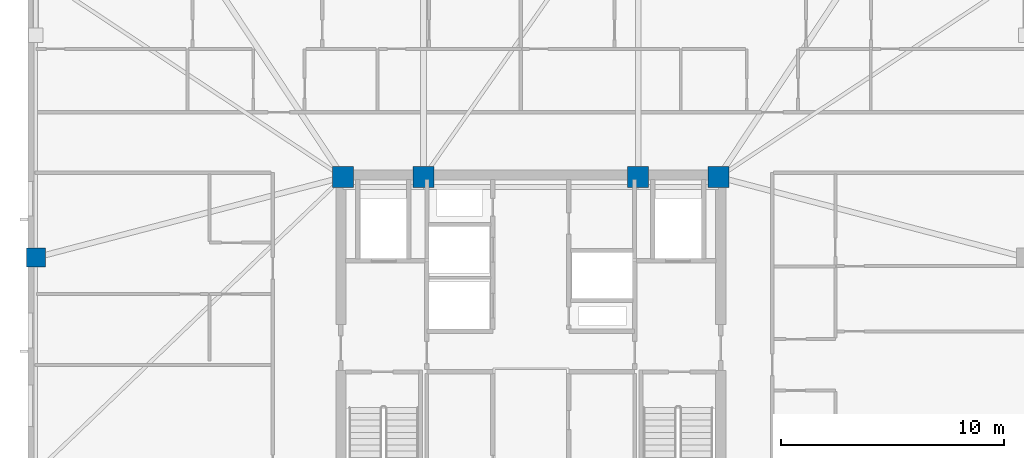
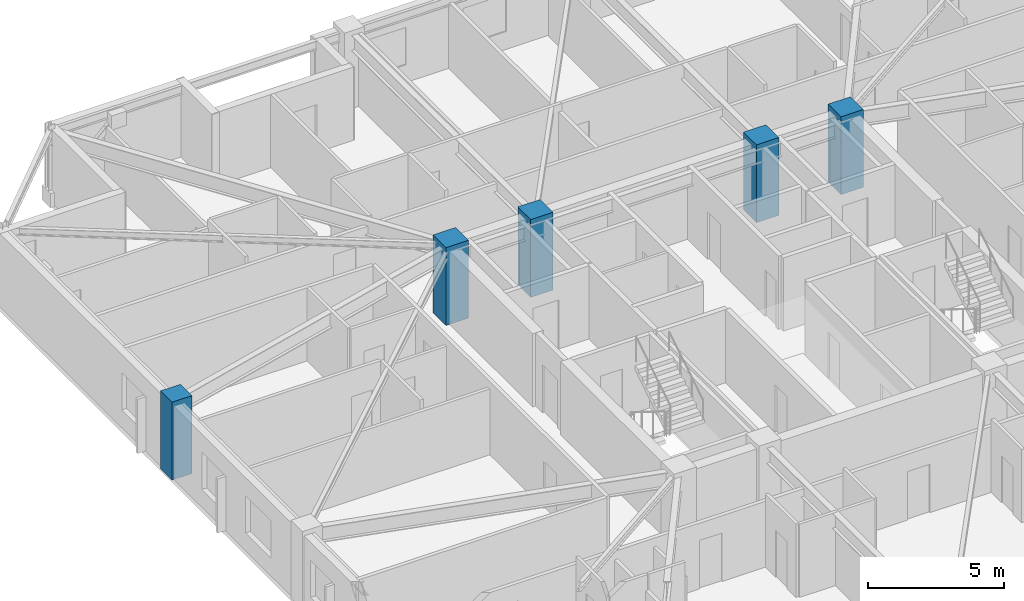
# One storey, part 2 of 17: 5 columns.
"""IFC4 building model written with IfcOpenShell, lengths in metres."""

from ifc_helpers import new_model, si_unit, direction, frame, origin, origin_2d, place, context, subcontext, project, spatial, rectangle, extrude, material, material_profile, profile_set, type_object, element, save


model = new_model("IFC4")

# Units and contexts
model_context = context("Model", 3, precision=1e-05, world=origin(), true_north=direction((0.0, 1.0)))
body_context = subcontext(model_context, "Body", "Model", "MODEL_VIEW")
ifc_project = project(units=[si_unit("LENGTHUNIT", "METRE"), si_unit("AREAUNIT", "SQUARE_METRE"), si_unit("VOLUMEUNIT", "CUBIC_METRE"), si_unit("PLANEANGLEUNIT", "RADIAN"), si_unit("MASSUNIT", "GRAM", prefix="KILO")], contexts=[model_context])

# Site, building, storey
site_placement = place(None, origin())
site = spatial("IfcSite", under=ifc_project, at=site_placement, CompositionType="ELEMENT")
building_placement = place(site_placement, origin())
building = spatial("IfcBuilding", under=site, at=building_placement, Name="Cairnveth Concourse Tower", CompositionType="ELEMENT")
storey_placement = place(building_placement, frame((0.0, 0.0, 220.0)))
storey = spatial("IfcBuildingStorey", under=building, at=storey_placement, Name="L60", CompositionType="ELEMENT", Elevation=220.0)

# Columns
ifc_material = material(Name="Concrete N65 (65 MPa)", Category="concrete")
ifc_material_profile_1 = material_profile(ifc_material, rectangle(XDim=0.949951171875, YDim=0.949951171875, at=origin_2d()), Name="RC-COL-950x950")
ifc_profile_set_1 = profile_set([ifc_material_profile_1], Name="Concrete N65 (65 MPa)")
column_type_1 = type_object("IfcColumnType", Name="CORE COLUMN 950X950", PredefinedType="COLUMN", material=ifc_profile_set_1)
for number, where, z_axis, x_axis, name in (
    (1, (43.60009765625, 47.39990234375, 0.0), (0.0, 0.0, 1.0), (1.0, 0.0, 0.0), "Column CC5 L60"),
    (2, (47.199951171875, 47.39990234375, 0.0), (0.0, 0.0, 1.0), (1.0, 0.0, 0.0), "Column CC6 L60"),
    (3, (56.800048828125, 47.39990234375, 0.0), (0.0, 0.0, 1.0), (1.0, 0.0, 0.0), "Column CC7 L60"),
    (4, (60.39990234375, 47.39990234375, 0.0), (0.0, 0.0, 1.0), (1.0, 0.0, 0.0), "Column CC8 L60"),
):
    element("IfcColumn", number, at=place(storey_placement, frame(where, z_axis=z_axis, x_axis=x_axis)), inside=storey, type_object=column_type_1, Name=name, PredefinedType="COLUMN", context=body_context, shape_type="SweptSolid", body=[
        extrude(rectangle(XDim=0.949951171875, YDim=0.949951171875, at=origin_2d()), origin(), (0.0, 0.0, 1.0), 3.5),
    ])
ifc_material_profile_2 = material_profile(ifc_material, rectangle(XDim=0.85009765625, YDim=0.85009765625, at=origin_2d()), Name="RC-COL-850x850")
ifc_profile_set_2 = profile_set([ifc_material_profile_2], Name="Concrete N65 (65 MPa)")
column_type_2 = type_object("IfcColumnType", Name="PERIMETER PIER COLUMN 850X850", PredefinedType="COLUMN", material=ifc_profile_set_2)
column_placement = place(storey_placement, frame((29.85009765625, 43.800048828125, 0.0), z_axis=(0.0, 0.0, 1.0), x_axis=(0.0, 1.0, 0.0)))
element("IfcColumn", 5, at=column_placement, inside=storey, type_object=column_type_2, Name="Column P-W2 L60", PredefinedType="COLUMN", context=body_context, shape_type="SweptSolid", body=[
    extrude(rectangle(XDim=0.85009765625, YDim=0.85009765625, at=origin_2d()), origin(), (0.0, 0.0, 1.0), 3.5),
])

save(model, "model.ifc")
